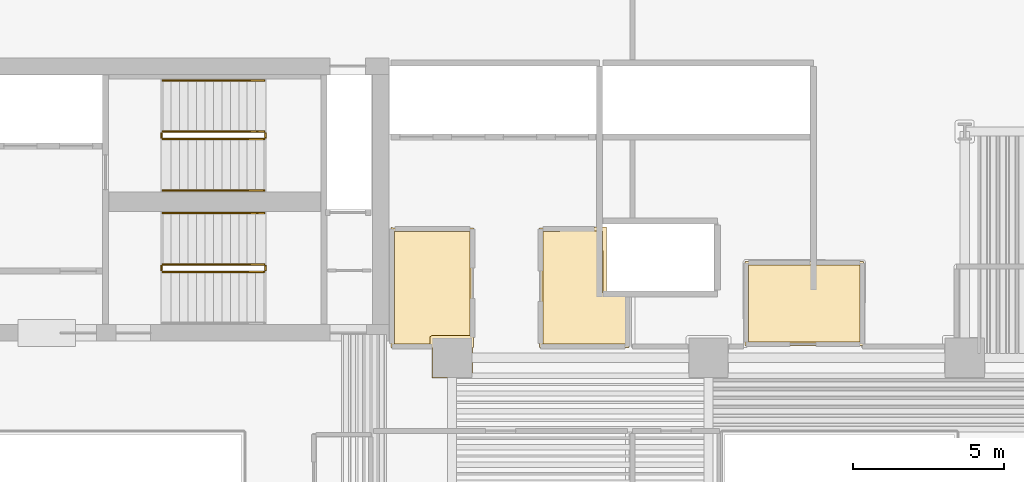
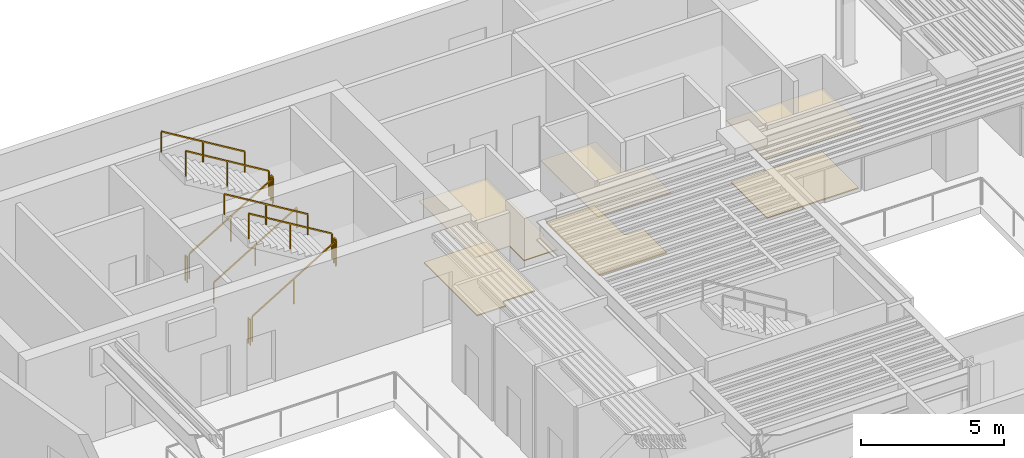
# One storey, part 10 of 11: 11 railings, 6 coverings.
"""IFC4 building model written with IfcOpenShell, lengths in metres."""

import ifcopenshell
import ifcopenshell.guid

model = None  # the IFC model being written
_history = None  # IfcOwnerHistory: only IFC2X3 demands one
_inside = {}  # id of a spatial element -> (the spatial element, [elements in it])
_under = {}  # id of a project, library or spatial element -> (it, [spatial elements below it])
_declared = {}  # id of a project -> (the project, [libraries it declares])
_typed = {}  # id of a type object -> (the type object, [elements of that type])
_made_of = {}  # id of a material, layer set ... -> (it, [elements and type objects made of it])


def new_model(schema):
    """Start an empty IFC model of exactly this schema.

    Asked for "IFC4X3", IfcOpenShell would pick the latest addendum, in which some entities
    have other attributes; the version numbers below select the first issue.
    IFC2X3 requires an IfcOwnerHistory on every rooted entity: one is made here for all.
    """
    global model, _history
    if schema == "IFC4X3":
        model = ifcopenshell.file(schema_version=(4, 3, 0, 0))
    else:
        model = ifcopenshell.file(schema=schema)
    _inside.clear()
    _under.clear()
    _declared.clear()
    _typed.clear()
    _made_of.clear()
    _history = None
    if model.schema == "IFC2X3":
        org = make("IfcOrganization", Name="unknown")
        user = make(
            "IfcPersonAndOrganization",
            ThePerson=make("IfcPerson", FamilyName="unknown"),
            TheOrganization=org,
        )
        app = make(
            "IfcApplication",
            ApplicationDeveloper=org,
            Version="unknown",
            ApplicationFullName="unknown",
            ApplicationIdentifier="unknown",
        )
        _history = make(
            "IfcOwnerHistory",
            OwningUser=user,
            OwningApplication=app,
            ChangeAction="ADDED",
            CreationDate=0,
        )
    return model


def make(cls, **values):
    """One entity of the class cls with the attributes given. An attribute that is None is left unset."""
    return model.create_entity(
        cls, **{name: value for name, value in values.items() if value is not None}
    )


def rooted(cls, **values):
    """An entity with a GlobalId (a new one), such as an element, a storey or a relation."""
    return make(cls, GlobalId=ifcopenshell.guid.new(), OwnerHistory=_history, **values)


def si_unit(unit_type, name, prefix=None):
    """IfcSIUnit, for example si_unit("LENGTHUNIT", "METRE", prefix="MILLI")."""
    return make("IfcSIUnit", UnitType=unit_type, Prefix=prefix, Name=name)


def assignment(units):
    """IfcUnitAssignment: the units of a project."""
    return None if units is None else make("IfcUnitAssignment", Units=units)


def point(xyz):
    """IfcCartesianPoint."""
    return None if xyz is None else make("IfcCartesianPoint", Coordinates=xyz)


def direction(xyz):
    """IfcDirection."""
    return None if xyz is None else make("IfcDirection", DirectionRatios=xyz)


def frame(location, z_axis=None, x_axis=None):
    """IfcAxis2Placement3D, a coordinate frame: its origin and axes. An axis left out is left unset."""
    return make(
        "IfcAxis2Placement3D",
        Location=point(location),
        Axis=direction(z_axis),
        RefDirection=direction(x_axis),
    )


def frame_2d(location, x_axis=None):
    """IfcAxis2Placement2D, a coordinate frame in the plane: its origin and x axis."""
    return make(
        "IfcAxis2Placement2D", Location=point(location), RefDirection=direction(x_axis)
    )


def origin():
    """The frame at (0, 0, 0) with its axes left unset."""
    return frame((0.0, 0.0, 0.0))


def origin_2d():
    """The frame at (0, 0) in the plane with its x axis left unset."""
    return frame_2d((0.0, 0.0))


def place(relative_to, where):
    """IfcLocalPlacement: puts the frame where relative to a parent placement (None: the world)."""
    return make(
        "IfcLocalPlacement", PlacementRelTo=relative_to, RelativePlacement=where
    )


def context(
    kind, dimensions, precision=None, world=None, true_north=None, identifier=None
):
    """IfcGeometricRepresentationContext, for example the 3D "Model" context."""
    return make(
        "IfcGeometricRepresentationContext",
        ContextIdentifier=identifier,
        ContextType=kind,
        CoordinateSpaceDimension=dimensions,
        Precision=precision,
        WorldCoordinateSystem=world,
        TrueNorth=true_north,
    )


def subcontext(parent, identifier, kind, view, scale=None):
    """IfcGeometricRepresentationSubContext, for example "Body" below "Model"."""
    return make(
        "IfcGeometricRepresentationSubContext",
        ContextIdentifier=identifier,
        ContextType=kind,
        ParentContext=parent,
        TargetScale=scale,
        TargetView=view,
    )


def project(units=None, contexts=None):
    """IfcProject with its units and contexts."""
    return rooted(
        "IfcProject",
        Name="project",
        RepresentationContexts=contexts,
        UnitsInContext=assignment(units),
    )


def spatial(cls, under=None, at=None, **own):
    """A site, building, storey or space (cls), placed at a placement, below another one or the project."""
    s = rooted(cls, ObjectPlacement=at, **own)
    if under is not None:
        _under.setdefault(under.id(), (under, []))[1].append(s)
    return s


def polyline(points):
    """IfcPolyline through the points."""
    return make("IfcPolyline", Points=[point(p) for p in points])


def profile(cls, at=None, kind="AREA", **sizes):
    """A parametric profile (cls). Its sizes go by their IFC names, for example OverallWidth=200.0."""
    return make(cls, ProfileType=kind, Position=at, **sizes)


def rectangle(**sizes):
    """IfcRectangleProfileDef."""
    return profile("IfcRectangleProfileDef", **sizes)


def outline(outer, holes=None, kind="AREA"):
    """IfcArbitraryClosedProfileDef: a profile drawn as a closed curve; with holes, ...WithVoids."""
    if holes is None:
        return make("IfcArbitraryClosedProfileDef", ProfileType=kind, OuterCurve=outer)
    return make(
        "IfcArbitraryProfileDefWithVoids",
        ProfileType=kind,
        OuterCurve=outer,
        InnerCurves=holes,
    )


def extrude(swept, where, along, depth):
    """IfcExtrudedAreaSolid: the profile swept, set in the frame where, extruded along a direction by depth."""
    return make(
        "IfcExtrudedAreaSolid",
        SweptArea=swept,
        Position=where,
        ExtrudedDirection=direction(along),
        Depth=depth,
    )


def shape(context_of_items, identifier, shape_type, items):
    """IfcShapeRepresentation: the items that make up one representation, for example the "Body"."""
    return make(
        "IfcShapeRepresentation",
        ContextOfItems=context_of_items,
        RepresentationIdentifier=identifier,
        RepresentationType=shape_type,
        Items=items,
    )


def material(Name=None, Category=None):
    """IfcMaterial."""
    return make("IfcMaterial", Name=Name, Category=Category)


def layer(
    of_material, thickness, ventilated=None, Name=None, Category=None, Priority=None
):
    """IfcMaterialLayer: one layer of a wall or slab, of a material (None: an air gap)."""
    return make(
        "IfcMaterialLayer",
        Material=of_material,
        LayerThickness=thickness,
        IsVentilated=ventilated,
        Name=Name,
        Category=Category,
        Priority=Priority,
    )


def layer_set(layers, Name=None):
    """IfcMaterialLayerSet."""
    return make("IfcMaterialLayerSet", MaterialLayers=layers, LayerSetName=Name)


def made_of(thing, what):
    """Note that an element or type object is made of a material, layer set ...; save() writes the relation."""
    if what is not None:
        _made_of.setdefault(what.id(), (what, []))[1].append(thing)
    return thing


def type_object(cls, material=None, **own):
    """A type object (cls), such as IfcWallType, which elements share."""
    return made_of(rooted(cls, **own), material)


def element(
    cls,
    number,
    at=None,
    inside=None,
    cuts=None,
    type_object=None,
    material=None,
    context=None,
    identifier="Body",
    shape_type=None,
    held_by="IfcProductDefinitionShape",
    body=None,
    shapes=None,
    **own,
):
    """One element of the class cls, such as IfcWall. Its Tag is "e" and its number.

    at: its placement. inside: the storey or other place that contains it. cuts: it is an
    opening in that element (IfcRelVoidsElement). A single representation is given by context,
    identifier, shape_type and body (its items); several are given by shapes. held_by: the class
    of the entity that holds the representations. save() writes the other relations.
    """
    e = rooted(cls, Tag="e%d" % number, ObjectPlacement=at, **own)
    if body is not None:
        shapes = [shape(context, identifier, shape_type, body)]
    if shapes is not None:
        e.Representation = make(held_by, Representations=shapes)
    if inside is not None:
        _inside.setdefault(inside.id(), (inside, []))[1].append(e)
    if cuts is not None:
        rooted(
            "IfcRelVoidsElement", RelatingBuildingElement=cuts, RelatedOpeningElement=e
        )
    if type_object is not None:
        _typed.setdefault(type_object.id(), (type_object, []))[1].append(e)
    return made_of(e, material)


def aggregate(whole, parts):
    """IfcRelAggregates: a whole, such as a stair, and the parts it consists of."""
    return rooted("IfcRelAggregates", RelatingObject=whole, RelatedObjects=parts)


def save(model, path):
    """Write the relations noted so far, then the file.

    IfcRelAggregates (storeys below a building ...), IfcRelContainedInSpatialStructure (elements
    in a storey), IfcRelDefinesByType, IfcRelAssociatesMaterial and IfcRelDeclares: one each for
    every whole, place, type object, material and project.
    """
    for whole, parts in _under.values():
        aggregate(whole, parts)
    for where, things in _inside.values():
        rooted(
            "IfcRelContainedInSpatialStructure",
            RelatedElements=things,
            RelatingStructure=where,
        )
    for kind, things in _typed.values():
        rooted("IfcRelDefinesByType", RelatedObjects=things, RelatingType=kind)
    for what, things in _made_of.values():
        rooted("IfcRelAssociatesMaterial", RelatedObjects=things, RelatingMaterial=what)
    for by, libraries in _declared.values():
        rooted("IfcRelDeclares", RelatingContext=by, RelatedDefinitions=libraries)
    model.write(path)


model = new_model("IFC4")

# Units and contexts
model_context = context("Model", 3, precision=1e-05, world=origin(), true_north=direction((0.0, 1.0)))
body_context = subcontext(model_context, "Body", "Model", "MODEL_VIEW")
ifc_project = project(units=[si_unit("LENGTHUNIT", "METRE"), si_unit("AREAUNIT", "SQUARE_METRE"), si_unit("VOLUMEUNIT", "CUBIC_METRE"), si_unit("PLANEANGLEUNIT", "RADIAN"), si_unit("MASSUNIT", "GRAM", prefix="KILO")], contexts=[model_context])

# Site, building, storey
site_placement = place(None, origin())
site = spatial("IfcSite", under=ifc_project, at=site_placement, CompositionType="ELEMENT")
building_placement = place(site_placement, origin())
building = spatial("IfcBuilding", under=site, at=building_placement, Name="Caeloran Harvest Quay", CompositionType="ELEMENT")
storey_placement = place(building_placement, frame((0.0, 0.0, 62.199951171875)))
storey = spatial("IfcBuildingStorey", under=building, at=storey_placement, Name="L14", CompositionType="ELEMENT", Elevation=62.199951171875)

# Coverings
ifc_material_1 = material(Name="Perforated Mineral-Fibre Acoustic Ceiling Tile", Category="ceiling")
ifc_layer_1 = layer(ifc_material_1, 0.0400390625, Name="Perforated Mineral-Fibre Acoustic Ceiling Tile")
ifc_layer_set_1 = layer_set([ifc_layer_1], Name="Perforated Mineral-Fibre Acoustic Ceiling Tile")
covering_type_1 = type_object("IfcCoveringType", Name="COV-CEILING-ACOUSTIC", PredefinedType="CEILING", material=ifc_layer_set_1)
covering_1_placement = place(storey_placement, frame((0.0, 0.0, 2.60009765625)))
element("IfcCovering", 1, at=covering_1_placement, inside=storey, type_object=covering_type_1, Name="L14 Core Auxiliary Equipment Room Acoustic Ceiling", PredefinedType="CEILING", context=body_context, shape_type="SweptSolid", body=[
    extrude(outline(polyline([(39.139892578125, 34.18994140625), (39.139892578125, 31.409912109375), (35.2099609375, 31.409912109375), (35.2099609375, 34.18994140625), (39.139892578125, 34.18994140625)])), origin(), (0.0, 0.0, 1.0), 0.0400390625),
])
covering_2_placement = place(storey_placement, frame((0.0, 0.0, 2.60009765625)))
element("IfcCovering", 2, at=covering_2_placement, inside=storey, type_object=covering_type_1, Name="Seedling Sensory Salon Lounge 10 Acoustic Ceiling", PredefinedType="CEILING", context=body_context, shape_type="SweptSolid", body=[
    extrude(outline(polyline([(30.212890625, 35.31005859375), (30.22021484375, 35.330078125), (30.610107421875, 35.330078125), (30.610107421875, 33.2099609375), (31.360107421875, 33.2099609375), (31.360107421875, 31.340087890625), (28.389892578125, 31.340087890625), (28.389892578125, 35.31005859375), (30.212890625, 35.31005859375)])), origin(), (0.0, 0.0, 1.0), 0.0400390625),
])
covering_3_placement = place(storey_placement, frame((0.0, 0.0, 2.60009765625)))
element("IfcCovering", 3, at=covering_3_placement, inside=storey, type_object=covering_type_1, Name="Pollination Dining Lounge 11 Acoustic Ceiling", PredefinedType="CEILING", context=body_context, shape_type="SweptSolid", body=[
    extrude(outline(polyline([(26.169921875, 30.330078125), (24.830078125, 30.330078125), (24.830078125, 31.340087890625), (23.469970703125, 31.340087890625), (23.469970703125, 35.32861328125), (23.521728515625, 35.31005859375), (26.2099609375, 35.31005859375), (26.2099609375, 31.340087890625), (26.169921875, 31.340087890625), (26.169921875, 30.330078125)])), origin(), (0.0, 0.0, 1.0), 0.0400390625),
])
ifc_material_2 = material(Name="Calcium-Sulphate Raised Access Floor and Terrazzo Finish", Category="flooring")
ifc_layer_2 = layer(ifc_material_2, 0.050048828125, Name="Calcium-Sulphate Raised Access Floor and Terrazzo Finish")
ifc_layer_set_2 = layer_set([ifc_layer_2], Name="Calcium-Sulphate Raised Access Floor and Terrazzo Finish")
covering_type_2 = type_object("IfcCoveringType", Name="COV-FLOOR-RAISED", PredefinedType="FLOORING", material=ifc_layer_set_2)
covering_4_placement = place(storey_placement, origin())
element("IfcCovering", 4, at=covering_4_placement, inside=storey, type_object=covering_type_2, Name="L14 Core Auxiliary Equipment Room Raised Finish Flooring", PredefinedType="FLOORING", context=body_context, shape_type="SweptSolid", body=[
    extrude(outline(polyline([(39.02001953125, 34.070068359375), (39.02001953125, 31.530029296875), (35.330078125, 31.530029296875), (35.330078125, 34.070068359375), (39.02001953125, 34.070068359375)])), origin(), (0.0, 0.0, 1.0), 0.050048828125),
])
covering_5_placement = place(storey_placement, origin())
element("IfcCovering", 5, at=covering_5_placement, inside=storey, type_object=covering_type_2, Name="Seedling Sensory Salon Lounge 10 Raised Finish Flooring", PredefinedType="FLOORING", context=body_context, shape_type="SweptSolid", body=[
    extrude(outline(polyline([(28.510009765625, 35.18994140625), (30.489990234375, 35.2099609375), (30.5, 33.154296875), (30.593017578125, 33.090087890625), (31.239990234375, 33.090087890625), (31.239990234375, 31.4599609375), (28.510009765625, 31.4599609375), (28.510009765625, 35.18994140625)])), origin(), (0.0, 0.0, 1.0), 0.050048828125),
])
covering_6_placement = place(storey_placement, origin())
element("IfcCovering", 6, at=covering_6_placement, inside=storey, type_object=covering_type_2, Name="Pollination Dining Lounge 11 Raised Finish Flooring", PredefinedType="FLOORING", context=body_context, shape_type="SweptSolid", body=[
    extrude(outline(polyline([(23.590087890625, 35.18994140625), (26.090087890625, 35.18994140625), (26.090087890625, 31.7451171875), (24.8271484375, 31.74462890625), (24.75830078125, 31.688232421875), (24.7548828125, 31.4599609375), (23.590087890625, 31.4599609375), (23.590087890625, 35.18994140625)])), origin(), (0.0, 0.0, 1.0), 0.050048828125),
])

# Railings
ifc_material_3 = material(Name="Painted Steel Baluster and Top-Rail Stair Guard", Category="steel")
ifc_layer_3 = layer(ifc_material_3, 0.050048828125, Name="Painted Steel Baluster and Top-Rail Stair Guard")
ifc_layer_set_3 = layer_set([ifc_layer_3], Name="Painted Steel Baluster and Top-Rail Stair Guard")
railing_type_1 = type_object("IfcRailingType", Name="STAIR-GUARD-1100", PredefinedType="GUARDRAIL", material=ifc_layer_set_3)
railing_1_placement = place(storey_placement, frame((15.89990234375, 38.25, 0.169189453125)))
element("IfcRailing", 7, at=railing_1_placement, inside=storey, type_object=railing_type_1, Name="L14 ST-C1 stair guard 1", PredefinedType="GUARDRAIL", context=body_context, shape_type="SweptSolid", body=[
    extrude(rectangle(XDim=0.048095703125, YDim=0.048095703125, at=origin_2d()), frame((0.0, 0.0, 1.076171875), z_axis=(0.855836976705, 0.0, 0.517245656632), x_axis=(0.0, 1.0, 0.0)), (0.0, 0.0, 1.0), 3.926025390625),
    extrude(rectangle(XDim=0.0419921875, YDim=0.0419921875, at=origin_2d()), origin(), (0.0, 0.0, 1.0), 1.052001953125),
    extrude(rectangle(XDim=0.0419921875, YDim=0.0419921875, at=origin_2d()), frame((1.68017578125, 0.0, 1.015380859375)), (0.0, 0.0, 1.0), 1.052001953125),
    extrude(rectangle(XDim=0.0419921875, YDim=0.0419921875, at=origin_2d()), frame((3.360107421875, 0.0, 2.03076171875)), (0.0, 0.0, 1.0), 1.052001953125),
])
railing_2_placement = place(storey_placement, frame((19.31005859375, 38.300048828125, 2.199951171875)))
element("IfcRailing", 8, at=railing_2_placement, inside=storey, type_object=railing_type_1, Name="L14 ST-C1 stair guard 2", PredefinedType="GUARDRAIL", context=body_context, shape_type="SweptSolid", body=[
    extrude(rectangle(XDim=0.048095703125, YDim=0.048095703125, at=origin_2d()), frame((0.0, 0.0, 1.076171875), z_axis=(0.0, 1.0, 0.0), x_axis=(-1.0, 0.0, 0.0)), (0.0, 0.0, 1.0), 0.14990234375),
    extrude(rectangle(XDim=0.0419921875, YDim=0.0419921875, at=origin_2d()), origin(), (0.0, 0.0, 1.0), 1.052001953125),
    extrude(rectangle(XDim=0.0419921875, YDim=0.0419921875, at=origin_2d()), frame((0.0, 0.14990234375, 0.0)), (0.0, 0.0, 1.0), 1.052001953125),
])
railing_3_placement = place(storey_placement, frame((19.260009765625, 38.5, 2.369384765625)))
element("IfcRailing", 9, at=railing_3_placement, inside=storey, type_object=railing_type_1, Name="L14 ST-C1 stair guard 3", PredefinedType="GUARDRAIL", context=body_context, shape_type="SweptSolid", body=[
    extrude(rectangle(XDim=0.048095703125, YDim=0.048095703125, at=origin_2d()), frame((0.0, 0.0, 1.076171875), z_axis=(-0.855836976705, 0.0, 0.517245656632), x_axis=(0.0, -1.0, 0.0)), (0.0, 0.0, 1.0), 3.926025390625),
    extrude(rectangle(XDim=0.0419921875, YDim=0.0419921875, at=origin_2d()), origin(), (0.0, 0.0, 1.0), 1.052001953125),
    extrude(rectangle(XDim=0.0419921875, YDim=0.0419921875, at=origin_2d()), frame((-1.68017578125, 0.0, 1.015380859375)), (0.0, 0.0, 1.0), 1.052001953125),
    extrude(rectangle(XDim=0.0419921875, YDim=0.0419921875, at=origin_2d()), frame((-3.360107421875, 0.0, 2.03076171875)), (0.0, 0.0, 1.0), 1.052001953125),
])
railing_4_placement = place(storey_placement, frame((15.85009765625, 38.300048828125, 0.0)))
element("IfcRailing", 10, at=railing_4_placement, inside=storey, type_object=railing_type_1, Name="L14 ST-C1 stair guard 4", PredefinedType="GUARDRAIL", context=body_context, shape_type="SweptSolid", body=[
    extrude(rectangle(XDim=0.048095703125, YDim=0.048095703125, at=origin_2d()), frame((0.0, 0.0, 1.076171875), z_axis=(0.0, 1.0, 0.0), x_axis=(-1.0, 0.0, 0.0)), (0.0, 0.0, 1.0), 0.14990234375),
    extrude(rectangle(XDim=0.0419921875, YDim=0.0419921875, at=origin_2d()), origin(), (0.0, 0.0, 1.0), 1.052001953125),
    extrude(rectangle(XDim=0.0419921875, YDim=0.0419921875, at=origin_2d()), frame((0.0, 0.14990234375, 0.0)), (0.0, 0.0, 1.0), 1.052001953125),
])
railing_5_placement = place(storey_placement, frame((15.89990234375, 33.85009765625, 0.169189453125)))
element("IfcRailing", 11, at=railing_5_placement, inside=storey, type_object=railing_type_1, Name="L14 ST-C2 stair guard 1", PredefinedType="GUARDRAIL", context=body_context, shape_type="SweptSolid", body=[
    extrude(rectangle(XDim=0.048095703125, YDim=0.048095703125, at=origin_2d()), frame((0.0, 0.0, 1.076171875), z_axis=(0.855836976705, 0.0, 0.517245656632), x_axis=(0.0, 1.0, 0.0)), (0.0, 0.0, 1.0), 3.926025390625),
    extrude(rectangle(XDim=0.0419921875, YDim=0.0419921875, at=origin_2d()), origin(), (0.0, 0.0, 1.0), 1.052001953125),
    extrude(rectangle(XDim=0.0419921875, YDim=0.0419921875, at=origin_2d()), frame((1.68017578125, 0.0, 1.015380859375)), (0.0, 0.0, 1.0), 1.052001953125),
    extrude(rectangle(XDim=0.0419921875, YDim=0.0419921875, at=origin_2d()), frame((3.360107421875, 0.0, 2.03076171875)), (0.0, 0.0, 1.0), 1.052001953125),
])
railing_6_placement = place(storey_placement, frame((19.31005859375, 33.89990234375, 2.199951171875)))
element("IfcRailing", 12, at=railing_6_placement, inside=storey, type_object=railing_type_1, Name="L14 ST-C2 stair guard 2", PredefinedType="GUARDRAIL", context=body_context, shape_type="SweptSolid", body=[
    extrude(rectangle(XDim=0.048095703125, YDim=0.048095703125, at=origin_2d()), frame((0.0, 0.0, 1.076171875), z_axis=(0.0, 1.0, 0.0), x_axis=(-1.0, 0.0, 0.0)), (0.0, 0.0, 1.0), 0.150146484375),
    extrude(rectangle(XDim=0.0419921875, YDim=0.0419921875, at=origin_2d()), origin(), (0.0, 0.0, 1.0), 1.052001953125),
    extrude(rectangle(XDim=0.0419921875, YDim=0.0419921875, at=origin_2d()), frame((0.0, 0.150146484375, 0.0)), (0.0, 0.0, 1.0), 1.052001953125),
])
railing_7_placement = place(storey_placement, frame((19.260009765625, 34.10009765625, 2.369384765625)))
element("IfcRailing", 13, at=railing_7_placement, inside=storey, type_object=railing_type_1, Name="L14 ST-C2 stair guard 3", PredefinedType="GUARDRAIL", context=body_context, shape_type="SweptSolid", body=[
    extrude(rectangle(XDim=0.048095703125, YDim=0.048095703125, at=origin_2d()), frame((0.0, 0.0, 1.076171875), z_axis=(-0.855836976705, 0.0, 0.517245656632), x_axis=(0.0, -1.0, 0.0)), (0.0, 0.0, 1.0), 3.926025390625),
    extrude(rectangle(XDim=0.0419921875, YDim=0.0419921875, at=origin_2d()), origin(), (0.0, 0.0, 1.0), 1.052001953125),
    extrude(rectangle(XDim=0.0419921875, YDim=0.0419921875, at=origin_2d()), frame((-1.68017578125, 0.0, 1.015380859375)), (0.0, 0.0, 1.0), 1.052001953125),
    extrude(rectangle(XDim=0.0419921875, YDim=0.0419921875, at=origin_2d()), frame((-3.360107421875, 0.0, 2.03076171875)), (0.0, 0.0, 1.0), 1.052001953125),
])
railing_8_placement = place(storey_placement, frame((15.85009765625, 33.89990234375, 0.0)))
element("IfcRailing", 14, at=railing_8_placement, inside=storey, type_object=railing_type_1, Name="L14 ST-C2 stair guard 4", PredefinedType="GUARDRAIL", context=body_context, shape_type="SweptSolid", body=[
    extrude(rectangle(XDim=0.048095703125, YDim=0.048095703125, at=origin_2d()), frame((0.0, 0.0, 1.076171875), z_axis=(0.0, 1.0, 0.0), x_axis=(-1.0, 0.0, 0.0)), (0.0, 0.0, 1.0), 0.150146484375),
    extrude(rectangle(XDim=0.0419921875, YDim=0.0419921875, at=origin_2d()), origin(), (0.0, 0.0, 1.0), 1.052001953125),
    extrude(rectangle(XDim=0.0419921875, YDim=0.0419921875, at=origin_2d()), frame((0.0, 0.150146484375, 0.0)), (0.0, 0.0, 1.0), 1.052001953125),
])
ifc_material_4 = material(Name="Brushed Stainless Steel Grade 304", Category="steel")
ifc_layer_4 = layer(ifc_material_4, 0.050048828125, Name="Brushed Stainless Steel Grade 304")
ifc_layer_set_4 = layer_set([ifc_layer_4], Name="Brushed Stainless Steel Grade 304")
railing_type_2 = type_object("IfcRailingType", Name="STAIR-HANDRAIL-900", PredefinedType="HANDRAIL", material=ifc_layer_set_4)
railing_9_placement = place(storey_placement, frame((15.89990234375, 36.550048828125, 0.169189453125)))
element("IfcRailing", 15, at=railing_9_placement, inside=storey, type_object=railing_type_2, Name="L14 ST-C1 stair handrail 1", PredefinedType="HANDRAIL", context=body_context, shape_type="SweptSolid", body=[
    extrude(rectangle(XDim=0.048095703125, YDim=0.048095703125, at=origin_2d()), frame((0.0, 0.0, 0.8759765625), z_axis=(0.855836976705, 0.0, 0.517245656632), x_axis=(0.0, 1.0, 0.0)), (0.0, 0.0, 1.0), 3.926025390625),
    extrude(rectangle(XDim=0.0419921875, YDim=0.0419921875, at=origin_2d()), origin(), (0.0, 0.0, 1.0), 0.851806640625),
    extrude(rectangle(XDim=0.0419921875, YDim=0.0419921875, at=origin_2d()), frame((1.68017578125, 0.0, 1.015380859375)), (0.0, 0.0, 1.0), 0.851806640625),
    extrude(rectangle(XDim=0.0419921875, YDim=0.0419921875, at=origin_2d()), frame((3.360107421875, 0.0, 2.03076171875)), (0.0, 0.0, 1.0), 0.851806640625),
])
for number, where, name in (
    (16, (19.260009765625, 40.199951171875, 2.369384765625), "L14 ST-C1 stair handrail 2"),
    (17, (19.260009765625, 35.800048828125, 2.369384765625), "L14 ST-C2 stair handrail 2"),
):
    element("IfcRailing", number, at=place(storey_placement, frame(where)), inside=storey, type_object=railing_type_2, Name=name, PredefinedType="HANDRAIL", context=body_context, shape_type="SweptSolid", body=[
        extrude(rectangle(XDim=0.048095703125, YDim=0.048095703125, at=origin_2d()), frame((0.0, 0.0, 0.8759765625), z_axis=(-0.855836976705, 0.0, 0.517245656632), x_axis=(0.0, -1.0, 0.0)), (0.0, 0.0, 1.0), 3.926025390625),
        extrude(rectangle(XDim=0.0419921875, YDim=0.0419921875, at=origin_2d()), origin(), (0.0, 0.0, 1.0), 0.851806640625),
        extrude(rectangle(XDim=0.0419921875, YDim=0.0419921875, at=origin_2d()), frame((-1.68017578125, 0.0, 1.015380859375)), (0.0, 0.0, 1.0), 0.851806640625),
        extrude(rectangle(XDim=0.0419921875, YDim=0.0419921875, at=origin_2d()), frame((-3.360107421875, 0.0, 2.03076171875)), (0.0, 0.0, 1.0), 0.851806640625),
    ])

save(model, "model.ifc")
